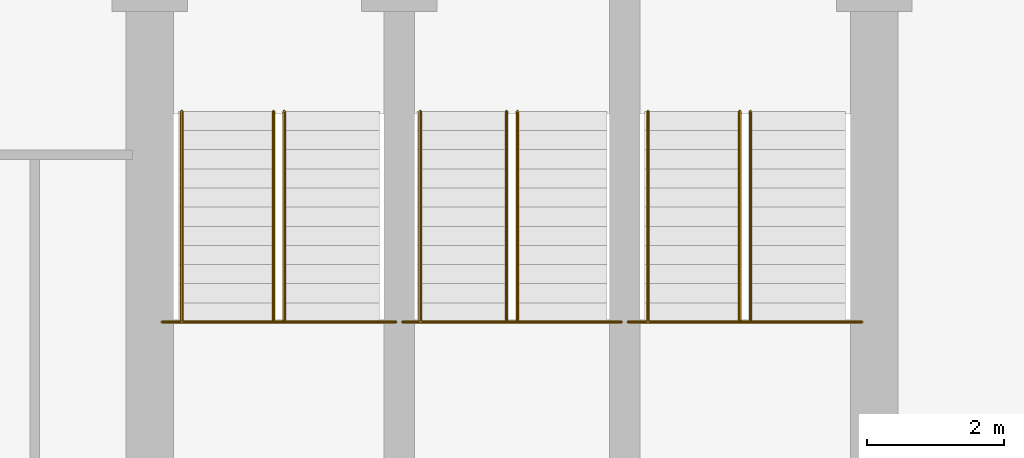
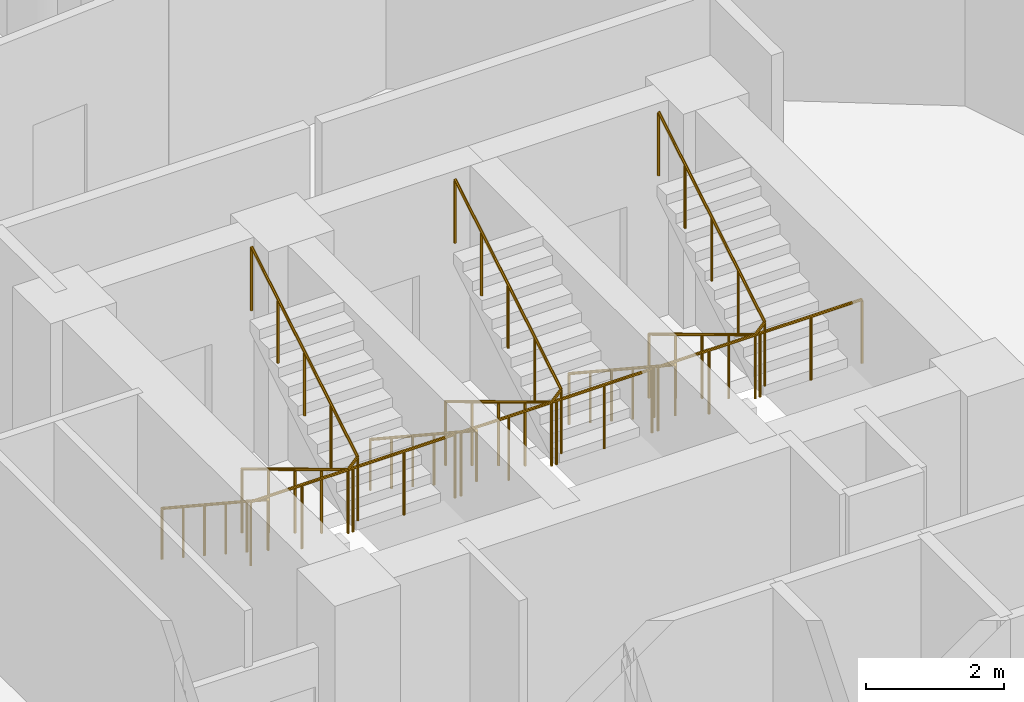
# One storey, part 24 of 24: 9 railings.
"""IFC4 building model written with IfcOpenShell, lengths in metres."""

from ifc_helpers import new_model, si_unit, direction, frame, origin, place, context, subcontext, project, spatial, polyline, outline, extrude, material, type_object, element, save


model = new_model("IFC4")

# Units and contexts
model_context = context("Model", 3, precision=1e-05, world=origin(), true_north=direction((0.0, 1.0)))
body_context = subcontext(model_context, "Body", "Model", "MODEL_VIEW")
ifc_project = project(units=[si_unit("LENGTHUNIT", "METRE"), si_unit("AREAUNIT", "SQUARE_METRE"), si_unit("VOLUMEUNIT", "CUBIC_METRE"), si_unit("PLANEANGLEUNIT", "RADIAN"), si_unit("MASSUNIT", "GRAM", prefix="KILO")], contexts=[model_context])

# Site, building, storey
site_placement = place(None, origin())
site = spatial("IfcSite", under=ifc_project, at=site_placement, CompositionType="ELEMENT")
building_placement = place(site_placement, origin())
building = spatial("IfcBuilding", under=site, at=building_placement, Name="Nuhasar Tower", CompositionType="ELEMENT")
storey_placement = place(building_placement, frame((0.0, 0.0, 77.699951171875)))
storey = spatial("IfcBuildingStorey", under=building, at=storey_placement, Name="L18", CompositionType="ELEMENT", Elevation=77.699951171875)

# Railings
ifc_material_1 = material(Name="Steel S355", Category="steel")
railing_type_1 = type_object("IfcRailingType", Name="RLG-STAIR-GUARD-1150", PredefinedType="GUARDRAIL", material=ifc_material_1)
railing_1_placement = place(storey_placement, frame((33.8798828125, 32.205078125, 2.025146484375)))
element("IfcRailing", 1, at=railing_1_placement, inside=storey, type_object=railing_type_1, Name="L18 Stair ST-01 Guardrail LND", PredefinedType="GUARDRAIL", context=body_context, shape_type="SweptSolid", body=[
    extrude(outline(polyline([(0.024169921875, 0.0), (0.01708984375, 0.01708984375), (0.0, 0.024169921875), (-0.01708984375, 0.01708984375), (-0.024169921875, 0.0), (-0.01708984375, -0.01708984375), (0.0, -0.024169921875), (0.01708984375, -0.01708984375), (0.024169921875, 0.0)])), frame((0.0, 0.0, 1.1259765625), z_axis=(1.0, 0.0, 0.0), x_axis=(0.0, 1.0, 0.0)), (0.0, 0.0, 1.0), 3.420166015625),
    extrude(outline(polyline([(0.02099609375, 0.0), (0.014892578125, 0.014892578125), (0.0, 0.02099609375), (-0.014892578125, 0.014892578125), (-0.02099609375, 0.0), (-0.014892578125, -0.014892578125), (0.0, -0.02099609375), (0.014892578125, -0.014892578125), (0.02099609375, 0.0)])), origin(), (0.0, 0.0, 1.0), 1.101806640625),
    extrude(outline(polyline([(0.02099609375, 0.0), (0.014892578125, 0.014892578125), (0.0, 0.02099609375), (-0.014892578125, 0.014892578125), (-0.02099609375, 0.0), (-0.014892578125, -0.014892578125), (0.0, -0.02099609375), (0.014892578125, -0.014892578125), (0.02099609375, 0.0)])), frame((0.85498046875, 0.0, 0.0)), (0.0, 0.0, 1.0), 1.101806640625),
    extrude(outline(polyline([(0.02099609375, 0.0), (0.014892578125, 0.014892578125), (0.0, 0.02099609375), (-0.014892578125, 0.014892578125), (-0.02099609375, 0.0), (-0.014892578125, -0.014892578125), (0.0, -0.02099609375), (0.014892578125, -0.014892578125), (0.02099609375, 0.0)])), frame((1.7099609375, 0.0, 0.0)), (0.0, 0.0, 1.0), 1.101806640625),
    extrude(outline(polyline([(0.02099609375, 0.0), (0.014892578125, 0.014892578125), (0.0, 0.02099609375), (-0.014892578125, 0.014892578125), (-0.02099609375, 0.0), (-0.014892578125, -0.014892578125), (0.0, -0.02099609375), (0.014892578125, -0.014892578125), (0.02099609375, 0.0)])), frame((2.565185546875, 0.0, 0.0)), (0.0, 0.0, 1.0), 1.101806640625),
    extrude(outline(polyline([(0.02099609375, 0.0), (0.014892578125, 0.014892578125), (0.0, 0.02099609375), (-0.014892578125, 0.014892578125), (-0.02099609375, 0.0), (-0.014892578125, -0.014892578125), (0.0, -0.02099609375), (0.014892578125, -0.014892578125), (0.02099609375, 0.0)])), frame((3.420166015625, 0.0, 0.0)), (0.0, 0.0, 1.0), 1.101806640625),
])
railing_2_placement = place(storey_placement, frame((35.510009765625, 35.284912109375, 0.1689453125)))
element("IfcRailing", 2, at=railing_2_placement, inside=storey, type_object=railing_type_1, Name="L18 Stair ST-01 Guardrail SLT", PredefinedType="GUARDRAIL", context=body_context, shape_type="SweptSolid", body=[
    extrude(outline(polyline([(0.024169921875, 0.0), (0.01708984375, 0.01708984375), (0.0, 0.024169921875), (-0.01708984375, 0.01708984375), (-0.024169921875, 0.0), (-0.01708984375, -0.01708984375), (0.0, -0.024169921875), (0.01708984375, -0.01708984375), (0.024169921875, 0.0)])), frame((0.0, 0.0, 1.1259765625), z_axis=(0.0, -0.8564728477, 0.51619207777), x_axis=(1.0, 0.0, 0.0)), (0.0, 0.0, 1.0), 3.595947265625),
    extrude(outline(polyline([(0.024169921875, 0.0), (0.01708984375, 0.01708984375), (0.0, 0.024169921875), (-0.01708984375, 0.01708984375), (-0.024169921875, 0.0), (-0.01708984375, -0.01708984375), (0.0, -0.024169921875), (0.01708984375, -0.01708984375), (0.024169921875, 0.0)])), frame((0.0, -3.079833984375, 2.98193359375), z_axis=(0.687424367727, 0.0, 0.726255973232), x_axis=(0.0, 1.0, 0.0)), (0.0, 0.0, 1.0), 0.232666015625),
    extrude(outline(polyline([(0.024169921875, 0.0), (0.01708984375, 0.01708984375), (0.0, 0.024169921875), (-0.01708984375, 0.01708984375), (-0.024169921875, 0.0), (-0.01708984375, -0.01708984375), (0.0, -0.024169921875), (0.01708984375, -0.01708984375), (0.024169921875, 0.0)])), frame((0.159912109375, -3.079833984375, 3.15087890625), z_axis=(0.0, 0.856502863198, 0.516142272377), x_axis=(-1.0, 0.0, 0.0)), (0.0, 0.0, 1.0), 3.595703125),
    extrude(outline(polyline([(0.02099609375, 0.0), (0.014892578125, 0.014892578125), (0.0, 0.02099609375), (-0.014892578125, 0.014892578125), (-0.02099609375, 0.0), (-0.014892578125, -0.014892578125), (0.0, -0.02099609375), (0.014892578125, -0.014892578125), (0.02099609375, 0.0)])), origin(), (0.0, 0.0, 1.0), 1.101806640625),
    extrude(outline(polyline([(0.02099609375, 0.0), (0.014892578125, 0.014892578125), (0.0, 0.02099609375), (-0.014892578125, 0.014892578125), (-0.02099609375, 0.0), (-0.014892578125, -0.014892578125), (0.0, -0.02099609375), (0.014892578125, -0.014892578125), (0.02099609375, 0.0)])), frame((0.0, -0.77001953125, 0.464111328125)), (0.0, 0.0, 1.0), 1.101806640625),
    extrude(outline(polyline([(0.02099609375, 0.0), (0.014892578125, 0.014892578125), (0.0, 0.02099609375), (-0.014892578125, 0.014892578125), (-0.02099609375, 0.0), (-0.014892578125, -0.014892578125), (0.0, -0.02099609375), (0.014892578125, -0.014892578125), (0.02099609375, 0.0)])), frame((0.0, -1.5400390625, 0.92822265625)), (0.0, 0.0, 1.0), 1.101806640625),
    extrude(outline(polyline([(0.02099609375, 0.0), (0.014892578125, 0.014892578125), (0.0, 0.02099609375), (-0.014892578125, 0.014892578125), (-0.02099609375, 0.0), (-0.014892578125, -0.014892578125), (0.0, -0.02099609375), (0.014892578125, -0.014892578125), (0.02099609375, 0.0)])), frame((0.0, -2.309814453125, 1.39208984375)), (0.0, 0.0, 1.0), 1.101806640625),
    extrude(outline(polyline([(0.02099609375, 0.0), (0.014892578125, 0.014892578125), (0.0, 0.02099609375), (-0.014892578125, 0.014892578125), (-0.02099609375, 0.0), (-0.014892578125, -0.014892578125), (0.0, -0.02099609375), (0.014892578125, -0.014892578125), (0.02099609375, 0.0)])), frame((0.0, -3.079833984375, 1.856201171875)), (0.0, 0.0, 1.0), 1.101806640625),
    extrude(outline(polyline([(0.02099609375, 0.0), (0.014892578125, 0.014892578125), (0.0, 0.02099609375), (-0.014892578125, 0.014892578125), (-0.02099609375, 0.0), (-0.014892578125, -0.014892578125), (0.0, -0.02099609375), (0.014892578125, -0.014892578125), (0.02099609375, 0.0)])), frame((0.159912109375, -3.079833984375, 2.025146484375)), (0.0, 0.0, 1.0), 1.101806640625),
    extrude(outline(polyline([(0.02099609375, 0.0), (0.014892578125, 0.014892578125), (0.0, 0.02099609375), (-0.014892578125, 0.014892578125), (-0.02099609375, 0.0), (-0.014892578125, -0.014892578125), (0.0, -0.02099609375), (0.014892578125, -0.014892578125), (0.02099609375, 0.0)])), frame((0.159912109375, -2.309814453125, 2.4892578125)), (0.0, 0.0, 1.0), 1.101806640625),
    extrude(outline(polyline([(0.02099609375, 0.0), (0.014892578125, 0.014892578125), (0.0, 0.02099609375), (-0.014892578125, 0.014892578125), (-0.02099609375, 0.0), (-0.014892578125, -0.014892578125), (0.0, -0.02099609375), (0.014892578125, -0.014892578125), (0.02099609375, 0.0)])), frame((0.159912109375, -1.5400390625, 2.953125)), (0.0, 0.0, 1.0), 1.101806640625),
    extrude(outline(polyline([(0.02099609375, 0.0), (0.014892578125, 0.014892578125), (0.0, 0.02099609375), (-0.014892578125, 0.014892578125), (-0.02099609375, 0.0), (-0.014892578125, -0.014892578125), (0.0, -0.02099609375), (0.014892578125, -0.014892578125), (0.02099609375, 0.0)])), frame((0.159912109375, -0.77001953125, 3.4169921875)), (0.0, 0.0, 1.0), 1.101806640625),
    extrude(outline(polyline([(0.02099609375, 0.0), (0.014892578125, 0.014892578125), (0.0, 0.02099609375), (-0.014892578125, 0.014892578125), (-0.02099609375, 0.0), (-0.014892578125, -0.014892578125), (0.0, -0.02099609375), (0.014892578125, -0.014892578125), (0.02099609375, 0.0)])), frame((0.159912109375, 0.0, 3.881103515625)), (0.0, 0.0, 1.0), 1.101806640625),
])
railing_3_placement = place(storey_placement, frame((37.39990234375, 32.205078125, 2.025146484375)))
element("IfcRailing", 3, at=railing_3_placement, inside=storey, type_object=railing_type_1, Name="L18 Stair ST-03 Guardrail LND", PredefinedType="GUARDRAIL", context=body_context, shape_type="SweptSolid", body=[
    extrude(outline(polyline([(0.024169921875, 0.0), (0.01708984375, 0.01708984375), (0.0, 0.024169921875), (-0.01708984375, 0.01708984375), (-0.024169921875, 0.0), (-0.01708984375, -0.01708984375), (0.0, -0.024169921875), (0.01708984375, -0.01708984375), (0.024169921875, 0.0)])), frame((0.0, 0.0, 1.1259765625), z_axis=(1.0, 0.0, 0.0), x_axis=(0.0, 1.0, 0.0)), (0.0, 0.0, 1.0), 3.2001953125),
    extrude(outline(polyline([(0.02099609375, 0.0), (0.014892578125, 0.014892578125), (0.0, 0.02099609375), (-0.014892578125, 0.014892578125), (-0.02099609375, 0.0), (-0.014892578125, -0.014892578125), (0.0, -0.02099609375), (0.014892578125, -0.014892578125), (0.02099609375, 0.0)])), origin(), (0.0, 0.0, 1.0), 1.101806640625),
    extrude(outline(polyline([(0.02099609375, 0.0), (0.014892578125, 0.014892578125), (0.0, 0.02099609375), (-0.014892578125, 0.014892578125), (-0.02099609375, 0.0), (-0.014892578125, -0.014892578125), (0.0, -0.02099609375), (0.014892578125, -0.014892578125), (0.02099609375, 0.0)])), frame((0.800048828125, 0.0, 0.0)), (0.0, 0.0, 1.0), 1.101806640625),
    extrude(outline(polyline([(0.02099609375, 0.0), (0.014892578125, 0.014892578125), (0.0, 0.02099609375), (-0.014892578125, 0.014892578125), (-0.02099609375, 0.0), (-0.014892578125, -0.014892578125), (0.0, -0.02099609375), (0.014892578125, -0.014892578125), (0.02099609375, 0.0)])), frame((1.60009765625, 0.0, 0.0)), (0.0, 0.0, 1.0), 1.101806640625),
    extrude(outline(polyline([(0.02099609375, 0.0), (0.014892578125, 0.014892578125), (0.0, 0.02099609375), (-0.014892578125, 0.014892578125), (-0.02099609375, 0.0), (-0.014892578125, -0.014892578125), (0.0, -0.02099609375), (0.014892578125, -0.014892578125), (0.02099609375, 0.0)])), frame((2.400146484375, 0.0, 0.0)), (0.0, 0.0, 1.0), 1.101806640625),
    extrude(outline(polyline([(0.02099609375, 0.0), (0.014892578125, 0.014892578125), (0.0, 0.02099609375), (-0.014892578125, 0.014892578125), (-0.02099609375, 0.0), (-0.014892578125, -0.014892578125), (0.0, -0.02099609375), (0.014892578125, -0.014892578125), (0.02099609375, 0.0)])), frame((3.2001953125, 0.0, 0.0)), (0.0, 0.0, 1.0), 1.101806640625),
])
railing_4_placement = place(storey_placement, frame((38.919921875, 35.284912109375, 0.1689453125)))
element("IfcRailing", 4, at=railing_4_placement, inside=storey, type_object=railing_type_1, Name="L18 Stair ST-03 Guardrail SLT", PredefinedType="GUARDRAIL", context=body_context, shape_type="SweptSolid", body=[
    extrude(outline(polyline([(0.024169921875, 0.0), (0.01708984375, 0.01708984375), (0.0, 0.024169921875), (-0.01708984375, 0.01708984375), (-0.024169921875, 0.0), (-0.01708984375, -0.01708984375), (0.0, -0.024169921875), (0.01708984375, -0.01708984375), (0.024169921875, 0.0)])), frame((0.0, 0.0, 1.1259765625), z_axis=(0.0, -0.8564728477, 0.51619207777), x_axis=(1.0, 0.0, 0.0)), (0.0, 0.0, 1.0), 3.595947265625),
    extrude(outline(polyline([(0.024169921875, 0.0), (0.01708984375, 0.01708984375), (0.0, 0.024169921875), (-0.01708984375, 0.01708984375), (-0.024169921875, 0.0), (-0.01708984375, -0.01708984375), (0.0, -0.024169921875), (0.01708984375, -0.01708984375), (0.024169921875, 0.0)])), frame((0.0, -3.079833984375, 2.98193359375), z_axis=(0.687977326998, 0.0, 0.725732180309), x_axis=(0.0, 1.0, 0.0)), (0.0, 0.0, 1.0), 0.23291015625),
    extrude(outline(polyline([(0.024169921875, 0.0), (0.01708984375, 0.01708984375), (0.0, 0.024169921875), (-0.01708984375, 0.01708984375), (-0.024169921875, 0.0), (-0.01708984375, -0.01708984375), (0.0, -0.024169921875), (0.01708984375, -0.01708984375), (0.024169921875, 0.0)])), frame((0.16015625, -3.079833984375, 3.15087890625), z_axis=(0.0, 0.856502863198, 0.516142272377), x_axis=(-1.0, 0.0, 0.0)), (0.0, 0.0, 1.0), 3.595703125),
    extrude(outline(polyline([(0.02099609375, 0.0), (0.014892578125, 0.014892578125), (0.0, 0.02099609375), (-0.014892578125, 0.014892578125), (-0.02099609375, 0.0), (-0.014892578125, -0.014892578125), (0.0, -0.02099609375), (0.014892578125, -0.014892578125), (0.02099609375, 0.0)])), origin(), (0.0, 0.0, 1.0), 1.101806640625),
    extrude(outline(polyline([(0.02099609375, 0.0), (0.014892578125, 0.014892578125), (0.0, 0.02099609375), (-0.014892578125, 0.014892578125), (-0.02099609375, 0.0), (-0.014892578125, -0.014892578125), (0.0, -0.02099609375), (0.014892578125, -0.014892578125), (0.02099609375, 0.0)])), frame((0.0, -0.77001953125, 0.464111328125)), (0.0, 0.0, 1.0), 1.101806640625),
    extrude(outline(polyline([(0.02099609375, 0.0), (0.014892578125, 0.014892578125), (0.0, 0.02099609375), (-0.014892578125, 0.014892578125), (-0.02099609375, 0.0), (-0.014892578125, -0.014892578125), (0.0, -0.02099609375), (0.014892578125, -0.014892578125), (0.02099609375, 0.0)])), frame((0.0, -1.5400390625, 0.92822265625)), (0.0, 0.0, 1.0), 1.101806640625),
    extrude(outline(polyline([(0.02099609375, 0.0), (0.014892578125, 0.014892578125), (0.0, 0.02099609375), (-0.014892578125, 0.014892578125), (-0.02099609375, 0.0), (-0.014892578125, -0.014892578125), (0.0, -0.02099609375), (0.014892578125, -0.014892578125), (0.02099609375, 0.0)])), frame((0.0, -2.309814453125, 1.39208984375)), (0.0, 0.0, 1.0), 1.101806640625),
    extrude(outline(polyline([(0.02099609375, 0.0), (0.014892578125, 0.014892578125), (0.0, 0.02099609375), (-0.014892578125, 0.014892578125), (-0.02099609375, 0.0), (-0.014892578125, -0.014892578125), (0.0, -0.02099609375), (0.014892578125, -0.014892578125), (0.02099609375, 0.0)])), frame((0.0, -3.079833984375, 1.856201171875)), (0.0, 0.0, 1.0), 1.101806640625),
    extrude(outline(polyline([(0.02099609375, 0.0), (0.014892578125, 0.014892578125), (0.0, 0.02099609375), (-0.014892578125, 0.014892578125), (-0.02099609375, 0.0), (-0.014892578125, -0.014892578125), (0.0, -0.02099609375), (0.014892578125, -0.014892578125), (0.02099609375, 0.0)])), frame((0.16015625, -3.079833984375, 2.025146484375)), (0.0, 0.0, 1.0), 1.101806640625),
    extrude(outline(polyline([(0.02099609375, 0.0), (0.014892578125, 0.014892578125), (0.0, 0.02099609375), (-0.014892578125, 0.014892578125), (-0.02099609375, 0.0), (-0.014892578125, -0.014892578125), (0.0, -0.02099609375), (0.014892578125, -0.014892578125), (0.02099609375, 0.0)])), frame((0.16015625, -2.309814453125, 2.4892578125)), (0.0, 0.0, 1.0), 1.101806640625),
    extrude(outline(polyline([(0.02099609375, 0.0), (0.014892578125, 0.014892578125), (0.0, 0.02099609375), (-0.014892578125, 0.014892578125), (-0.02099609375, 0.0), (-0.014892578125, -0.014892578125), (0.0, -0.02099609375), (0.014892578125, -0.014892578125), (0.02099609375, 0.0)])), frame((0.16015625, -1.5400390625, 2.953125)), (0.0, 0.0, 1.0), 1.101806640625),
    extrude(outline(polyline([(0.02099609375, 0.0), (0.014892578125, 0.014892578125), (0.0, 0.02099609375), (-0.014892578125, 0.014892578125), (-0.02099609375, 0.0), (-0.014892578125, -0.014892578125), (0.0, -0.02099609375), (0.014892578125, -0.014892578125), (0.02099609375, 0.0)])), frame((0.16015625, -0.77001953125, 3.4169921875)), (0.0, 0.0, 1.0), 1.101806640625),
    extrude(outline(polyline([(0.02099609375, 0.0), (0.014892578125, 0.014892578125), (0.0, 0.02099609375), (-0.014892578125, 0.014892578125), (-0.02099609375, 0.0), (-0.014892578125, -0.014892578125), (0.0, -0.02099609375), (0.014892578125, -0.014892578125), (0.02099609375, 0.0)])), frame((0.16015625, 0.0, 3.881103515625)), (0.0, 0.0, 1.0), 1.101806640625),
])
railing_5_placement = place(storey_placement, frame((40.699951171875, 32.205078125, 2.025146484375)))
element("IfcRailing", 5, at=railing_5_placement, inside=storey, type_object=railing_type_1, Name="L18 Stair ST-02 Guardrail LND", PredefinedType="GUARDRAIL", context=body_context, shape_type="SweptSolid", body=[
    extrude(outline(polyline([(0.024169921875, 0.0), (0.01708984375, 0.01708984375), (0.0, 0.024169921875), (-0.01708984375, 0.01708984375), (-0.024169921875, 0.0), (-0.01708984375, -0.01708984375), (0.0, -0.024169921875), (0.01708984375, -0.01708984375), (0.024169921875, 0.0)])), frame((0.0, 0.0, 1.1259765625), z_axis=(1.0, 0.0, 0.0), x_axis=(0.0, 1.0, 0.0)), (0.0, 0.0, 1.0), 3.420166015625),
    extrude(outline(polyline([(0.02099609375, 0.0), (0.014892578125, 0.014892578125), (0.0, 0.02099609375), (-0.014892578125, 0.014892578125), (-0.02099609375, 0.0), (-0.014892578125, -0.014892578125), (0.0, -0.02099609375), (0.014892578125, -0.014892578125), (0.02099609375, 0.0)])), origin(), (0.0, 0.0, 1.0), 1.101806640625),
    extrude(outline(polyline([(0.02099609375, 0.0), (0.014892578125, 0.014892578125), (0.0, 0.02099609375), (-0.014892578125, 0.014892578125), (-0.02099609375, 0.0), (-0.014892578125, -0.014892578125), (0.0, -0.02099609375), (0.014892578125, -0.014892578125), (0.02099609375, 0.0)])), frame((0.85498046875, 0.0, 0.0)), (0.0, 0.0, 1.0), 1.101806640625),
    extrude(outline(polyline([(0.02099609375, 0.0), (0.014892578125, 0.014892578125), (0.0, 0.02099609375), (-0.014892578125, 0.014892578125), (-0.02099609375, 0.0), (-0.014892578125, -0.014892578125), (0.0, -0.02099609375), (0.014892578125, -0.014892578125), (0.02099609375, 0.0)])), frame((1.7099609375, 0.0, 0.0)), (0.0, 0.0, 1.0), 1.101806640625),
    extrude(outline(polyline([(0.02099609375, 0.0), (0.014892578125, 0.014892578125), (0.0, 0.02099609375), (-0.014892578125, 0.014892578125), (-0.02099609375, 0.0), (-0.014892578125, -0.014892578125), (0.0, -0.02099609375), (0.014892578125, -0.014892578125), (0.02099609375, 0.0)])), frame((2.565185546875, 0.0, 0.0)), (0.0, 0.0, 1.0), 1.101806640625),
    extrude(outline(polyline([(0.02099609375, 0.0), (0.014892578125, 0.014892578125), (0.0, 0.02099609375), (-0.014892578125, 0.014892578125), (-0.02099609375, 0.0), (-0.014892578125, -0.014892578125), (0.0, -0.02099609375), (0.014892578125, -0.014892578125), (0.02099609375, 0.0)])), frame((3.420166015625, 0.0, 0.0)), (0.0, 0.0, 1.0), 1.101806640625),
])
railing_6_placement = place(storey_placement, frame((42.330078125, 35.284912109375, 0.1689453125)))
element("IfcRailing", 6, at=railing_6_placement, inside=storey, type_object=railing_type_1, Name="L18 Stair ST-02 Guardrail SLT", PredefinedType="GUARDRAIL", context=body_context, shape_type="SweptSolid", body=[
    extrude(outline(polyline([(0.024169921875, 0.0), (0.01708984375, 0.01708984375), (0.0, 0.024169921875), (-0.01708984375, 0.01708984375), (-0.024169921875, 0.0), (-0.01708984375, -0.01708984375), (0.0, -0.024169921875), (0.01708984375, -0.01708984375), (0.024169921875, 0.0)])), frame((0.0, 0.0, 1.1259765625), z_axis=(0.0, -0.8564728477, 0.51619207777), x_axis=(1.0, 0.0, 0.0)), (0.0, 0.0, 1.0), 3.595947265625),
    extrude(outline(polyline([(0.024169921875, 0.0), (0.01708984375, 0.01708984375), (0.0, 0.024169921875), (-0.01708984375, 0.01708984375), (-0.024169921875, 0.0), (-0.01708984375, -0.01708984375), (0.0, -0.024169921875), (0.01708984375, -0.01708984375), (0.024169921875, 0.0)])), frame((0.0, -3.079833984375, 2.98193359375), z_axis=(0.687424367727, 0.0, 0.726255973232), x_axis=(0.0, 1.0, 0.0)), (0.0, 0.0, 1.0), 0.232666015625),
    extrude(outline(polyline([(0.024169921875, 0.0), (0.01708984375, 0.01708984375), (0.0, 0.024169921875), (-0.01708984375, 0.01708984375), (-0.024169921875, 0.0), (-0.01708984375, -0.01708984375), (0.0, -0.024169921875), (0.01708984375, -0.01708984375), (0.024169921875, 0.0)])), frame((0.159912109375, -3.079833984375, 3.15087890625), z_axis=(0.0, 0.856502863198, 0.516142272377), x_axis=(-1.0, 0.0, 0.0)), (0.0, 0.0, 1.0), 3.595703125),
    extrude(outline(polyline([(0.02099609375, 0.0), (0.014892578125, 0.014892578125), (0.0, 0.02099609375), (-0.014892578125, 0.014892578125), (-0.02099609375, 0.0), (-0.014892578125, -0.014892578125), (0.0, -0.02099609375), (0.014892578125, -0.014892578125), (0.02099609375, 0.0)])), origin(), (0.0, 0.0, 1.0), 1.101806640625),
    extrude(outline(polyline([(0.02099609375, 0.0), (0.014892578125, 0.014892578125), (0.0, 0.02099609375), (-0.014892578125, 0.014892578125), (-0.02099609375, 0.0), (-0.014892578125, -0.014892578125), (0.0, -0.02099609375), (0.014892578125, -0.014892578125), (0.02099609375, 0.0)])), frame((0.0, -0.77001953125, 0.464111328125)), (0.0, 0.0, 1.0), 1.101806640625),
    extrude(outline(polyline([(0.02099609375, 0.0), (0.014892578125, 0.014892578125), (0.0, 0.02099609375), (-0.014892578125, 0.014892578125), (-0.02099609375, 0.0), (-0.014892578125, -0.014892578125), (0.0, -0.02099609375), (0.014892578125, -0.014892578125), (0.02099609375, 0.0)])), frame((0.0, -1.5400390625, 0.92822265625)), (0.0, 0.0, 1.0), 1.101806640625),
    extrude(outline(polyline([(0.02099609375, 0.0), (0.014892578125, 0.014892578125), (0.0, 0.02099609375), (-0.014892578125, 0.014892578125), (-0.02099609375, 0.0), (-0.014892578125, -0.014892578125), (0.0, -0.02099609375), (0.014892578125, -0.014892578125), (0.02099609375, 0.0)])), frame((0.0, -2.309814453125, 1.39208984375)), (0.0, 0.0, 1.0), 1.101806640625),
    extrude(outline(polyline([(0.02099609375, 0.0), (0.014892578125, 0.014892578125), (0.0, 0.02099609375), (-0.014892578125, 0.014892578125), (-0.02099609375, 0.0), (-0.014892578125, -0.014892578125), (0.0, -0.02099609375), (0.014892578125, -0.014892578125), (0.02099609375, 0.0)])), frame((0.0, -3.079833984375, 1.856201171875)), (0.0, 0.0, 1.0), 1.101806640625),
    extrude(outline(polyline([(0.02099609375, 0.0), (0.014892578125, 0.014892578125), (0.0, 0.02099609375), (-0.014892578125, 0.014892578125), (-0.02099609375, 0.0), (-0.014892578125, -0.014892578125), (0.0, -0.02099609375), (0.014892578125, -0.014892578125), (0.02099609375, 0.0)])), frame((0.159912109375, -3.079833984375, 2.025146484375)), (0.0, 0.0, 1.0), 1.101806640625),
    extrude(outline(polyline([(0.02099609375, 0.0), (0.014892578125, 0.014892578125), (0.0, 0.02099609375), (-0.014892578125, 0.014892578125), (-0.02099609375, 0.0), (-0.014892578125, -0.014892578125), (0.0, -0.02099609375), (0.014892578125, -0.014892578125), (0.02099609375, 0.0)])), frame((0.159912109375, -2.309814453125, 2.4892578125)), (0.0, 0.0, 1.0), 1.101806640625),
    extrude(outline(polyline([(0.02099609375, 0.0), (0.014892578125, 0.014892578125), (0.0, 0.02099609375), (-0.014892578125, 0.014892578125), (-0.02099609375, 0.0), (-0.014892578125, -0.014892578125), (0.0, -0.02099609375), (0.014892578125, -0.014892578125), (0.02099609375, 0.0)])), frame((0.159912109375, -1.5400390625, 2.953125)), (0.0, 0.0, 1.0), 1.101806640625),
    extrude(outline(polyline([(0.02099609375, 0.0), (0.014892578125, 0.014892578125), (0.0, 0.02099609375), (-0.014892578125, 0.014892578125), (-0.02099609375, 0.0), (-0.014892578125, -0.014892578125), (0.0, -0.02099609375), (0.014892578125, -0.014892578125), (0.02099609375, 0.0)])), frame((0.159912109375, -0.77001953125, 3.4169921875)), (0.0, 0.0, 1.0), 1.101806640625),
    extrude(outline(polyline([(0.02099609375, 0.0), (0.014892578125, 0.014892578125), (0.0, 0.02099609375), (-0.014892578125, 0.014892578125), (-0.02099609375, 0.0), (-0.014892578125, -0.014892578125), (0.0, -0.02099609375), (0.014892578125, -0.014892578125), (0.02099609375, 0.0)])), frame((0.159912109375, 0.0, 3.881103515625)), (0.0, 0.0, 1.0), 1.101806640625),
])
ifc_material_2 = material(Name="Stainless Steel 316L", Category="steel")
railing_type_2 = type_object("IfcRailingType", Name="RLG-STAIR-HAND-920", PredefinedType="HANDRAIL", material=ifc_material_2)
railing_7_placement = place(storey_placement, frame((34.169921875, 35.284912109375, 0.1689453125)))
element("IfcRailing", 7, at=railing_7_placement, inside=storey, type_object=railing_type_2, Name="L18 Stair ST-01 Handrail HND1", PredefinedType="HANDRAIL", context=body_context, shape_type="SweptSolid", body=[
    extrude(outline(polyline([(0.024169921875, 0.0), (0.01708984375, 0.01708984375), (0.0, 0.024169921875), (-0.01708984375, 0.01708984375), (-0.024169921875, 0.0), (-0.01708984375, -0.01708984375), (0.0, -0.024169921875), (0.01708984375, -0.01708984375), (0.024169921875, 0.0)])), frame((0.0, 0.0, 0.89599609375), z_axis=(0.0, -0.835549111106, 0.549415765091), x_axis=(1.0, 0.0, 0.0)), (0.0, 0.0, 1.0), 3.68603515625),
    extrude(outline(polyline([(0.02099609375, 0.0), (0.014892578125, 0.014892578125), (0.0, 0.02099609375), (-0.014892578125, 0.014892578125), (-0.02099609375, 0.0), (-0.014892578125, -0.014892578125), (0.0, -0.02099609375), (0.014892578125, -0.014892578125), (0.02099609375, 0.0)])), origin(), (0.0, 0.0, 1.0), 0.871826171875),
    extrude(outline(polyline([(0.02099609375, 0.0), (0.014892578125, 0.014892578125), (0.0, 0.02099609375), (-0.014892578125, 0.014892578125), (-0.02099609375, 0.0), (-0.014892578125, -0.014892578125), (0.0, -0.02099609375), (0.014892578125, -0.014892578125), (0.02099609375, 0.0)])), frame((0.0, -0.615966796875, 0.405029296875)), (0.0, 0.0, 1.0), 0.871826171875),
    extrude(outline(polyline([(0.02099609375, 0.0), (0.014892578125, 0.014892578125), (0.0, 0.02099609375), (-0.014892578125, 0.014892578125), (-0.02099609375, 0.0), (-0.014892578125, -0.014892578125), (0.0, -0.02099609375), (0.014892578125, -0.014892578125), (0.02099609375, 0.0)])), frame((0.0, -1.23193359375, 0.81005859375)), (0.0, 0.0, 1.0), 0.871826171875),
    extrude(outline(polyline([(0.02099609375, 0.0), (0.014892578125, 0.014892578125), (0.0, 0.02099609375), (-0.014892578125, 0.014892578125), (-0.02099609375, 0.0), (-0.014892578125, -0.014892578125), (0.0, -0.02099609375), (0.014892578125, -0.014892578125), (0.02099609375, 0.0)])), frame((0.0, -1.847900390625, 1.215087890625)), (0.0, 0.0, 1.0), 0.871826171875),
    extrude(outline(polyline([(0.02099609375, 0.0), (0.014892578125, 0.014892578125), (0.0, 0.02099609375), (-0.014892578125, 0.014892578125), (-0.02099609375, 0.0), (-0.014892578125, -0.014892578125), (0.0, -0.02099609375), (0.014892578125, -0.014892578125), (0.02099609375, 0.0)])), frame((0.0, -2.4638671875, 1.6201171875)), (0.0, 0.0, 1.0), 0.871826171875),
    extrude(outline(polyline([(0.02099609375, 0.0), (0.014892578125, 0.014892578125), (0.0, 0.02099609375), (-0.014892578125, 0.014892578125), (-0.02099609375, 0.0), (-0.014892578125, -0.014892578125), (0.0, -0.02099609375), (0.014892578125, -0.014892578125), (0.02099609375, 0.0)])), frame((0.0, -3.079833984375, 2.025146484375)), (0.0, 0.0, 1.0), 0.871826171875),
])
railing_8_placement = place(storey_placement, frame((37.659912109375, 35.284912109375, 0.1689453125)))
element("IfcRailing", 8, at=railing_8_placement, inside=storey, type_object=railing_type_2, Name="L18 Stair ST-03 Handrail HND1", PredefinedType="HANDRAIL", context=body_context, shape_type="SweptSolid", body=[
    extrude(outline(polyline([(0.024169921875, 0.0), (0.01708984375, 0.01708984375), (0.0, 0.024169921875), (-0.01708984375, 0.01708984375), (-0.024169921875, 0.0), (-0.01708984375, -0.01708984375), (0.0, -0.024169921875), (0.01708984375, -0.01708984375), (0.024169921875, 0.0)])), frame((0.0, 0.0, 0.89599609375), z_axis=(0.0, -0.835549111106, 0.549415765091), x_axis=(1.0, 0.0, 0.0)), (0.0, 0.0, 1.0), 3.68603515625),
    extrude(outline(polyline([(0.02099609375, 0.0), (0.014892578125, 0.014892578125), (0.0, 0.02099609375), (-0.014892578125, 0.014892578125), (-0.02099609375, 0.0), (-0.014892578125, -0.014892578125), (0.0, -0.02099609375), (0.014892578125, -0.014892578125), (0.02099609375, 0.0)])), origin(), (0.0, 0.0, 1.0), 0.871826171875),
    extrude(outline(polyline([(0.02099609375, 0.0), (0.014892578125, 0.014892578125), (0.0, 0.02099609375), (-0.014892578125, 0.014892578125), (-0.02099609375, 0.0), (-0.014892578125, -0.014892578125), (0.0, -0.02099609375), (0.014892578125, -0.014892578125), (0.02099609375, 0.0)])), frame((0.0, -0.615966796875, 0.405029296875)), (0.0, 0.0, 1.0), 0.871826171875),
    extrude(outline(polyline([(0.02099609375, 0.0), (0.014892578125, 0.014892578125), (0.0, 0.02099609375), (-0.014892578125, 0.014892578125), (-0.02099609375, 0.0), (-0.014892578125, -0.014892578125), (0.0, -0.02099609375), (0.014892578125, -0.014892578125), (0.02099609375, 0.0)])), frame((0.0, -1.23193359375, 0.81005859375)), (0.0, 0.0, 1.0), 0.871826171875),
    extrude(outline(polyline([(0.02099609375, 0.0), (0.014892578125, 0.014892578125), (0.0, 0.02099609375), (-0.014892578125, 0.014892578125), (-0.02099609375, 0.0), (-0.014892578125, -0.014892578125), (0.0, -0.02099609375), (0.014892578125, -0.014892578125), (0.02099609375, 0.0)])), frame((0.0, -1.847900390625, 1.215087890625)), (0.0, 0.0, 1.0), 0.871826171875),
    extrude(outline(polyline([(0.02099609375, 0.0), (0.014892578125, 0.014892578125), (0.0, 0.02099609375), (-0.014892578125, 0.014892578125), (-0.02099609375, 0.0), (-0.014892578125, -0.014892578125), (0.0, -0.02099609375), (0.014892578125, -0.014892578125), (0.02099609375, 0.0)])), frame((0.0, -2.4638671875, 1.6201171875)), (0.0, 0.0, 1.0), 0.871826171875),
    extrude(outline(polyline([(0.02099609375, 0.0), (0.014892578125, 0.014892578125), (0.0, 0.02099609375), (-0.014892578125, 0.014892578125), (-0.02099609375, 0.0), (-0.014892578125, -0.014892578125), (0.0, -0.02099609375), (0.014892578125, -0.014892578125), (0.02099609375, 0.0)])), frame((0.0, -3.079833984375, 2.025146484375)), (0.0, 0.0, 1.0), 0.871826171875),
])
railing_9_placement = place(storey_placement, frame((40.989990234375, 35.284912109375, 0.1689453125)))
element("IfcRailing", 9, at=railing_9_placement, inside=storey, type_object=railing_type_2, Name="L18 Stair ST-02 Handrail HND1", PredefinedType="HANDRAIL", context=body_context, shape_type="SweptSolid", body=[
    extrude(outline(polyline([(0.024169921875, 0.0), (0.01708984375, 0.01708984375), (0.0, 0.024169921875), (-0.01708984375, 0.01708984375), (-0.024169921875, 0.0), (-0.01708984375, -0.01708984375), (0.0, -0.024169921875), (0.01708984375, -0.01708984375), (0.024169921875, 0.0)])), frame((0.0, 0.0, 0.89599609375), z_axis=(0.0, -0.835549111106, 0.549415765091), x_axis=(1.0, 0.0, 0.0)), (0.0, 0.0, 1.0), 3.68603515625),
    extrude(outline(polyline([(0.02099609375, 0.0), (0.014892578125, 0.014892578125), (0.0, 0.02099609375), (-0.014892578125, 0.014892578125), (-0.02099609375, 0.0), (-0.014892578125, -0.014892578125), (0.0, -0.02099609375), (0.014892578125, -0.014892578125), (0.02099609375, 0.0)])), origin(), (0.0, 0.0, 1.0), 0.871826171875),
    extrude(outline(polyline([(0.02099609375, 0.0), (0.014892578125, 0.014892578125), (0.0, 0.02099609375), (-0.014892578125, 0.014892578125), (-0.02099609375, 0.0), (-0.014892578125, -0.014892578125), (0.0, -0.02099609375), (0.014892578125, -0.014892578125), (0.02099609375, 0.0)])), frame((0.0, -0.615966796875, 0.405029296875)), (0.0, 0.0, 1.0), 0.871826171875),
    extrude(outline(polyline([(0.02099609375, 0.0), (0.014892578125, 0.014892578125), (0.0, 0.02099609375), (-0.014892578125, 0.014892578125), (-0.02099609375, 0.0), (-0.014892578125, -0.014892578125), (0.0, -0.02099609375), (0.014892578125, -0.014892578125), (0.02099609375, 0.0)])), frame((0.0, -1.23193359375, 0.81005859375)), (0.0, 0.0, 1.0), 0.871826171875),
    extrude(outline(polyline([(0.02099609375, 0.0), (0.014892578125, 0.014892578125), (0.0, 0.02099609375), (-0.014892578125, 0.014892578125), (-0.02099609375, 0.0), (-0.014892578125, -0.014892578125), (0.0, -0.02099609375), (0.014892578125, -0.014892578125), (0.02099609375, 0.0)])), frame((0.0, -1.847900390625, 1.215087890625)), (0.0, 0.0, 1.0), 0.871826171875),
    extrude(outline(polyline([(0.02099609375, 0.0), (0.014892578125, 0.014892578125), (0.0, 0.02099609375), (-0.014892578125, 0.014892578125), (-0.02099609375, 0.0), (-0.014892578125, -0.014892578125), (0.0, -0.02099609375), (0.014892578125, -0.014892578125), (0.02099609375, 0.0)])), frame((0.0, -2.4638671875, 1.6201171875)), (0.0, 0.0, 1.0), 0.871826171875),
    extrude(outline(polyline([(0.02099609375, 0.0), (0.014892578125, 0.014892578125), (0.0, 0.02099609375), (-0.014892578125, 0.014892578125), (-0.02099609375, 0.0), (-0.014892578125, -0.014892578125), (0.0, -0.02099609375), (0.014892578125, -0.014892578125), (0.02099609375, 0.0)])), frame((0.0, -3.079833984375, 2.025146484375)), (0.0, 0.0, 1.0), 0.871826171875),
])

save(model, "model.ifc")
